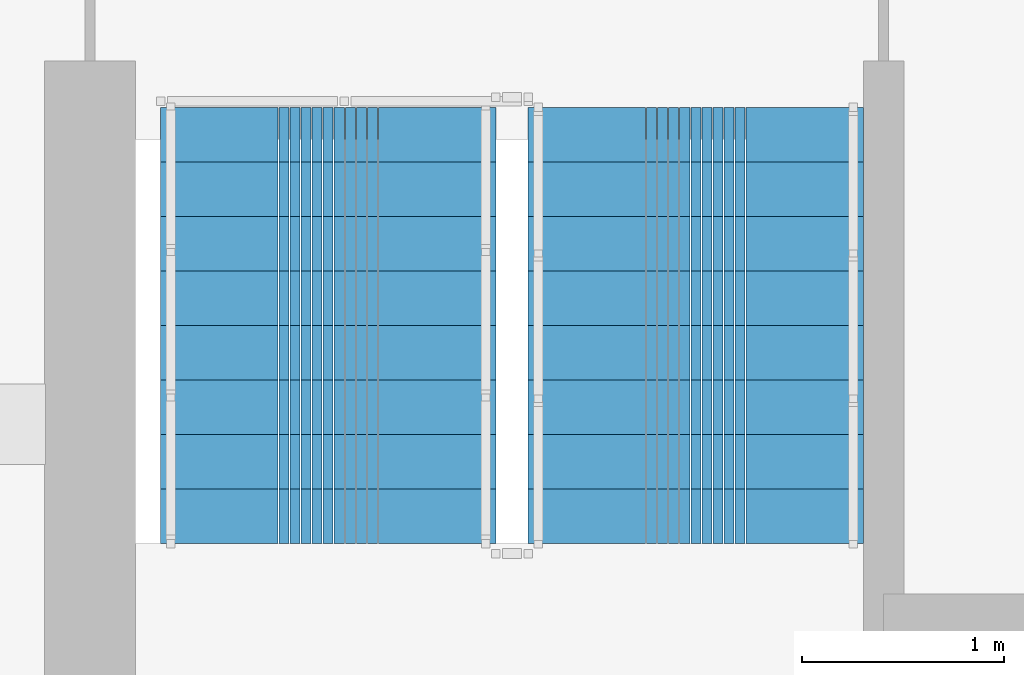
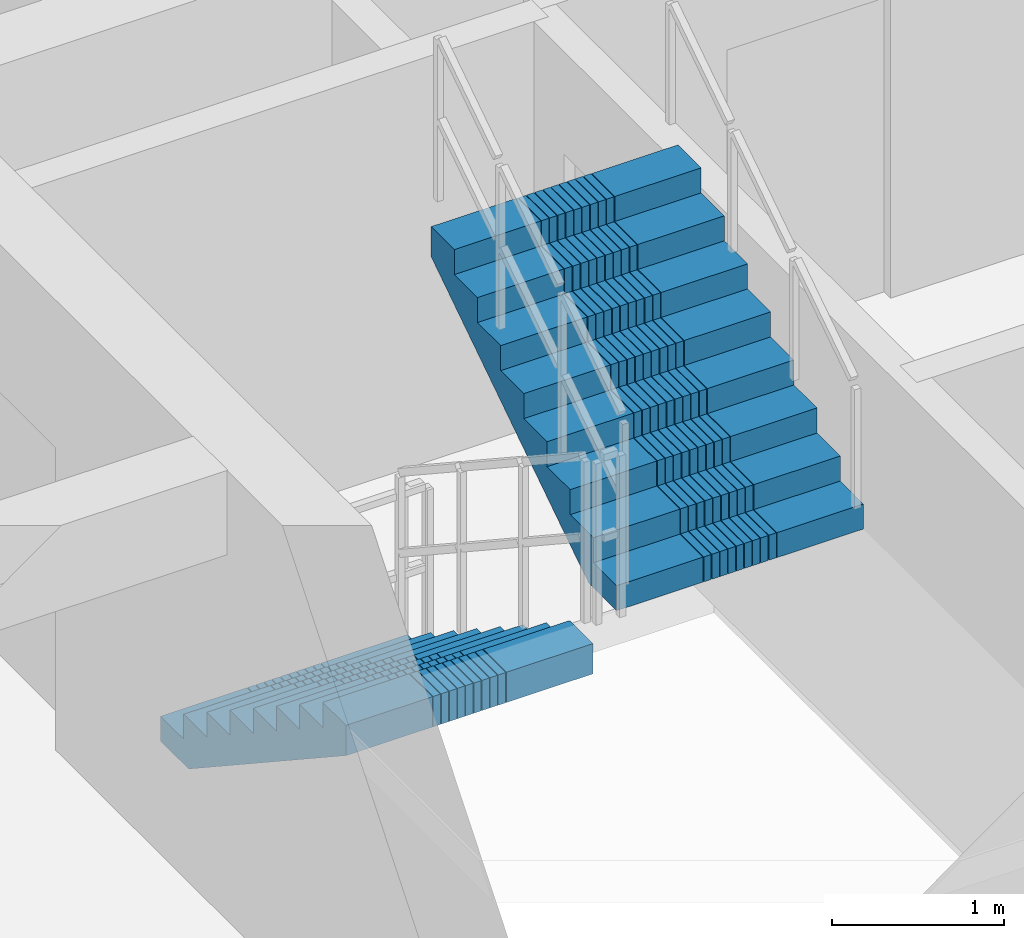
# One storey, part 6 of 11: 2 stair flights, 1 element without a shape of its own.
"""IFC4 building model written with IfcOpenShell, lengths in metres."""

from ifc_helpers import new_model, si_unit, direction, frame, origin, place, context, subcontext, project, spatial, polyline, outline, extrude, material, type_object, element, aggregate, save


model = new_model("IFC4")

# Units and contexts
model_context = context("Model", 3, precision=1e-05, world=origin(), true_north=direction((0.0, 1.0)))
body_context = subcontext(model_context, "Body", "Model", "MODEL_VIEW")
ifc_project = project(units=[si_unit("LENGTHUNIT", "METRE"), si_unit("AREAUNIT", "SQUARE_METRE"), si_unit("VOLUMEUNIT", "CUBIC_METRE"), si_unit("PLANEANGLEUNIT", "RADIAN"), si_unit("MASSUNIT", "GRAM", prefix="KILO")], contexts=[model_context])

# Site, building, storey
site_placement = place(None, origin())
site = spatial("IfcSite", under=ifc_project, at=site_placement, CompositionType="ELEMENT")
building_placement = place(site_placement, origin())
building = spatial("IfcBuilding", under=site, at=building_placement, Name="Saelheon Loggia Tower", CompositionType="ELEMENT")
storey_placement = place(building_placement, frame((0.0, 0.0, 249.0)))
storey = spatial("IfcBuildingStorey", under=building, at=storey_placement, Name="L77", CompositionType="ELEMENT", Elevation=249.0)

# Stair, stair flights
ifc_material = material(Name="Concrete C40/50", Category="concrete")
stair_type = type_object("IfcStairType", Name="Stair_Plant_Crown", PredefinedType="HALF_TURN_STAIR", material=ifc_material)
stair_placement = place(storey_placement, origin())
stair = element("IfcStair", 1, at=stair_placement, inside=storey, type_object=stair_type, Name="L77 Crown Plant Stair ST5", PredefinedType="HALF_TURN_STAIR")
stair_flight_type = type_object("IfcStairFlightType", Name="StairFlight_Crown_1520", PredefinedType="STRAIGHT", material=ifc_material)
stair_flight_1_placement = place(storey_placement, frame((32.679931640625, 23.570068359375, 0.0), z_axis=(0.0, 0.0, 1.0), x_axis=(0.0, -1.0, 0.0)))
stair_flight_1 = element("IfcStairFlight", 2, at=stair_flight_1_placement, type_object=stair_flight_type, Name="ST5 flight 1", NumberOfRisers=9, NumberOfTreads=8, PredefinedType="STRAIGHT", RiserHeight=0.177777778, TreadLength=0.27, context=body_context, shape_type="SweptSolid", body=[
    extrude(outline(polyline([(0.0, 0.0), (0.0, 0.177734375), (0.27001953125, 0.177734375), (0.27001953125, 0.35546875), (0.5400390625, 0.35546875), (0.5400390625, 0.533447265625), (0.81005859375, 0.533447265625), (0.81005859375, 0.711181640625), (1.080078125, 0.711181640625), (1.080078125, 0.888916015625), (1.35009765625, 0.888916015625), (1.35009765625, 1.066650390625), (1.6201171875, 1.066650390625), (1.6201171875, 1.244384765625), (1.889892578125, 1.244384765625), (1.889892578125, 1.422119140625), (2.159912109375, 1.422119140625), (2.159912109375, 1.60009765625), (2.159912109375, 1.206787109375), (0.3271484375, 0.0), (0.0, 0.0)])), frame((0.0, -0.2490234375, 0.0), z_axis=(0.0, -1.0, 0.0), x_axis=(1.0, 0.0, 0.0)), (0.0, 0.0, 1.0), 0.5810546875),
    extrude(outline(polyline([(0.0, 0.0), (0.0, 0.177734375), (0.27001953125, 0.177734375), (0.27001953125, 0.35546875), (0.5400390625, 0.35546875), (0.5400390625, 0.533447265625), (0.81005859375, 0.533447265625), (0.81005859375, 0.711181640625), (1.080078125, 0.711181640625), (1.080078125, 0.888916015625), (1.35009765625, 0.888916015625), (1.35009765625, 1.066650390625), (1.6201171875, 1.066650390625), (1.6201171875, 1.244384765625), (1.889892578125, 1.244384765625), (1.889892578125, 1.422119140625), (2.159912109375, 1.422119140625), (2.159912109375, 1.60009765625), (2.159912109375, 1.206787109375), (0.3271484375, 0.0), (0.0, 0.0)])), frame((0.0, -0.194091796875, 0.0), z_axis=(0.0, -1.0, 0.0), x_axis=(1.0, 0.0, 0.0)), (0.0, 0.0, 1.0), 0.0498046875),
    extrude(outline(polyline([(0.0, 0.0), (0.0, 0.177734375), (0.27001953125, 0.177734375), (0.27001953125, 0.35546875), (0.5400390625, 0.35546875), (0.5400390625, 0.533447265625), (0.81005859375, 0.533447265625), (0.81005859375, 0.711181640625), (1.080078125, 0.711181640625), (1.080078125, 0.888916015625), (1.35009765625, 0.888916015625), (1.35009765625, 1.066650390625), (1.6201171875, 1.066650390625), (1.6201171875, 1.244384765625), (1.889892578125, 1.244384765625), (1.889892578125, 1.422119140625), (2.159912109375, 1.422119140625), (2.159912109375, 1.60009765625), (2.159912109375, 1.206787109375), (0.3271484375, 0.0), (0.0, 0.0)])), frame((0.0, -0.139404296875, 0.0), z_axis=(0.0, -1.0, 0.0), x_axis=(1.0, 0.0, 0.0)), (0.0, 0.0, 1.0), 0.0498046875),
    extrude(outline(polyline([(0.0, 0.0), (0.0, 0.177734375), (0.27001953125, 0.177734375), (0.27001953125, 0.35546875), (0.5400390625, 0.35546875), (0.5400390625, 0.533447265625), (0.81005859375, 0.533447265625), (0.81005859375, 0.711181640625), (1.080078125, 0.711181640625), (1.080078125, 0.888916015625), (1.35009765625, 0.888916015625), (1.35009765625, 1.066650390625), (1.6201171875, 1.066650390625), (1.6201171875, 1.244384765625), (1.889892578125, 1.244384765625), (1.889892578125, 1.422119140625), (2.159912109375, 1.422119140625), (2.159912109375, 1.60009765625), (2.159912109375, 1.206787109375), (0.3271484375, 0.0), (0.0, 0.0)])), frame((0.0, -0.084716796875, 0.0), z_axis=(0.0, -1.0, 0.0), x_axis=(1.0, 0.0, 0.0)), (0.0, 0.0, 1.0), 0.0498046875),
    extrude(outline(polyline([(0.0, 0.0), (0.0, 0.177734375), (0.27001953125, 0.177734375), (0.27001953125, 0.35546875), (0.5400390625, 0.35546875), (0.5400390625, 0.533447265625), (0.81005859375, 0.533447265625), (0.81005859375, 0.711181640625), (1.080078125, 0.711181640625), (1.080078125, 0.888916015625), (1.35009765625, 0.888916015625), (1.35009765625, 1.066650390625), (1.6201171875, 1.066650390625), (1.6201171875, 1.244384765625), (1.889892578125, 1.244384765625), (1.889892578125, 1.422119140625), (2.159912109375, 1.422119140625), (2.159912109375, 1.60009765625), (2.159912109375, 1.206787109375), (0.3271484375, 0.0), (0.0, 0.0)])), frame((0.0, -0.02978515625, 0.0), z_axis=(0.0, -1.0, 0.0), x_axis=(1.0, 0.0, 0.0)), (0.0, 0.0, 1.0), 0.0498046875),
    extrude(outline(polyline([(0.0, 0.0), (0.0, 0.177734375), (0.27001953125, 0.177734375), (0.27001953125, 0.35546875), (0.5400390625, 0.35546875), (0.5400390625, 0.533447265625), (0.81005859375, 0.533447265625), (0.81005859375, 0.711181640625), (1.080078125, 0.711181640625), (1.080078125, 0.888916015625), (1.35009765625, 0.888916015625), (1.35009765625, 1.066650390625), (1.6201171875, 1.066650390625), (1.6201171875, 1.244384765625), (1.889892578125, 1.244384765625), (1.889892578125, 1.422119140625), (2.159912109375, 1.422119140625), (2.159912109375, 1.60009765625), (2.159912109375, 1.206787109375), (0.3271484375, 0.0), (0.0, 0.0)])), frame((0.0, 0.02490234375, 0.0), z_axis=(0.0, -1.0, 0.0), x_axis=(1.0, 0.0, 0.0)), (0.0, 0.0, 1.0), 0.0498046875),
    extrude(outline(polyline([(0.0, 0.0), (0.0, 0.177734375), (0.27001953125, 0.177734375), (0.27001953125, 0.35546875), (0.5400390625, 0.35546875), (0.5400390625, 0.533447265625), (0.81005859375, 0.533447265625), (0.81005859375, 0.711181640625), (1.080078125, 0.711181640625), (1.080078125, 0.888916015625), (1.35009765625, 0.888916015625), (1.35009765625, 1.066650390625), (1.6201171875, 1.066650390625), (1.6201171875, 1.244384765625), (1.889892578125, 1.244384765625), (1.889892578125, 1.422119140625), (2.159912109375, 1.422119140625), (2.159912109375, 1.60009765625), (2.159912109375, 1.206787109375), (0.3271484375, 0.0), (0.0, 0.0)])), frame((0.0, 0.07958984375, 0.0), z_axis=(0.0, -1.0, 0.0), x_axis=(1.0, 0.0, 0.0)), (0.0, 0.0, 1.0), 0.0498046875),
    extrude(outline(polyline([(0.0, 0.0), (0.0, 0.177734375), (0.27001953125, 0.177734375), (0.27001953125, 0.35546875), (0.5400390625, 0.35546875), (0.5400390625, 0.533447265625), (0.81005859375, 0.533447265625), (0.81005859375, 0.711181640625), (1.080078125, 0.711181640625), (1.080078125, 0.888916015625), (1.35009765625, 0.888916015625), (1.35009765625, 1.066650390625), (1.6201171875, 1.066650390625), (1.6201171875, 1.244384765625), (1.889892578125, 1.244384765625), (1.889892578125, 1.422119140625), (2.159912109375, 1.422119140625), (2.159912109375, 1.60009765625), (2.159912109375, 1.206787109375), (0.3271484375, 0.0), (0.0, 0.0)])), frame((0.0, 0.134521484375, 0.0), z_axis=(0.0, -1.0, 0.0), x_axis=(1.0, 0.0, 0.0)), (0.0, 0.0, 1.0), 0.0498046875),
    extrude(outline(polyline([(0.0, 0.0), (0.0, 0.177734375), (0.27001953125, 0.177734375), (0.27001953125, 0.35546875), (0.5400390625, 0.35546875), (0.5400390625, 0.533447265625), (0.81005859375, 0.533447265625), (0.81005859375, 0.711181640625), (1.080078125, 0.711181640625), (1.080078125, 0.888916015625), (1.35009765625, 0.888916015625), (1.35009765625, 1.066650390625), (1.6201171875, 1.066650390625), (1.6201171875, 1.244384765625), (1.889892578125, 1.244384765625), (1.889892578125, 1.422119140625), (2.159912109375, 1.422119140625), (2.159912109375, 1.60009765625), (2.159912109375, 1.206787109375), (0.3271484375, 0.0), (0.0, 0.0)])), frame((0.0, 0.189208984375, 0.0), z_axis=(0.0, -1.0, 0.0), x_axis=(1.0, 0.0, 0.0)), (0.0, 0.0, 1.0), 0.0498046875),
    extrude(outline(polyline([(0.0, 0.0), (0.0, 0.177734375), (0.27001953125, 0.177734375), (0.27001953125, 0.35546875), (0.5400390625, 0.35546875), (0.5400390625, 0.533447265625), (0.81005859375, 0.533447265625), (0.81005859375, 0.711181640625), (1.080078125, 0.711181640625), (1.080078125, 0.888916015625), (1.35009765625, 0.888916015625), (1.35009765625, 1.066650390625), (1.6201171875, 1.066650390625), (1.6201171875, 1.244384765625), (1.889892578125, 1.244384765625), (1.889892578125, 1.422119140625), (2.159912109375, 1.422119140625), (2.159912109375, 1.60009765625), (2.159912109375, 1.206787109375), (0.3271484375, 0.0), (0.0, 0.0)])), frame((0.0, 0.243896484375, 0.0), z_axis=(0.0, -1.0, 0.0), x_axis=(1.0, 0.0, 0.0)), (0.0, 0.0, 1.0), 0.0498046875),
    extrude(outline(polyline([(0.0, 0.0), (0.0, 0.177734375), (0.27001953125, 0.177734375), (0.27001953125, 0.35546875), (0.5400390625, 0.35546875), (0.5400390625, 0.533447265625), (0.81005859375, 0.533447265625), (0.81005859375, 0.711181640625), (1.080078125, 0.711181640625), (1.080078125, 0.888916015625), (1.35009765625, 0.888916015625), (1.35009765625, 1.066650390625), (1.6201171875, 1.066650390625), (1.6201171875, 1.244384765625), (1.889892578125, 1.244384765625), (1.889892578125, 1.422119140625), (2.159912109375, 1.422119140625), (2.159912109375, 1.60009765625), (2.159912109375, 1.206787109375), (0.3271484375, 0.0), (0.0, 0.0)])), frame((0.0, 0.830078125, 0.0), z_axis=(0.0, -1.0, 0.0), x_axis=(1.0, 0.0, 0.0)), (0.0, 0.0, 1.0), 0.5810546875),
])
stair_flight_2_placement = place(storey_placement, frame((34.5, 21.409912109375, 1.60009765625), z_axis=(0.0, 0.0, 1.0), x_axis=(0.0, 1.0, 0.0)))
stair_flight_2 = element("IfcStairFlight", 3, at=stair_flight_2_placement, type_object=stair_flight_type, Name="ST5 flight 2", NumberOfRisers=9, NumberOfTreads=8, PredefinedType="STRAIGHT", RiserHeight=0.177777778, TreadLength=0.27, context=body_context, shape_type="SweptSolid", body=[
    extrude(outline(polyline([(0.0, 0.0), (0.0, 0.177734375), (0.27001953125, 0.177734375), (0.27001953125, 0.35546875), (0.5400390625, 0.35546875), (0.5400390625, 0.533447265625), (0.81005859375, 0.533447265625), (0.81005859375, 0.711181640625), (1.080078125, 0.711181640625), (1.080078125, 0.888916015625), (1.35009765625, 0.888916015625), (1.35009765625, 1.066650390625), (1.6201171875, 1.066650390625), (1.6201171875, 1.244384765625), (1.889892578125, 1.244384765625), (1.889892578125, 1.422119140625), (2.159912109375, 1.422119140625), (2.159912109375, 1.60009765625), (2.159912109375, 1.206787109375), (0.3271484375, 0.0), (0.0, 0.0)])), frame((0.0, -0.2490234375, 0.0), z_axis=(0.0, -1.0, 0.0), x_axis=(1.0, 0.0, 0.0)), (0.0, 0.0, 1.0), 0.5810546875),
    extrude(outline(polyline([(0.0, 0.0), (0.0, 0.177734375), (0.27001953125, 0.177734375), (0.27001953125, 0.35546875), (0.5400390625, 0.35546875), (0.5400390625, 0.533447265625), (0.81005859375, 0.533447265625), (0.81005859375, 0.711181640625), (1.080078125, 0.711181640625), (1.080078125, 0.888916015625), (1.35009765625, 0.888916015625), (1.35009765625, 1.066650390625), (1.6201171875, 1.066650390625), (1.6201171875, 1.244384765625), (1.889892578125, 1.244384765625), (1.889892578125, 1.422119140625), (2.159912109375, 1.422119140625), (2.159912109375, 1.60009765625), (2.159912109375, 1.206787109375), (0.3271484375, 0.0), (0.0, 0.0)])), frame((0.0, -0.194091796875, 0.0), z_axis=(0.0, -1.0, 0.0), x_axis=(1.0, 0.0, 0.0)), (0.0, 0.0, 1.0), 0.0498046875),
    extrude(outline(polyline([(0.0, 0.0), (0.0, 0.177734375), (0.27001953125, 0.177734375), (0.27001953125, 0.35546875), (0.5400390625, 0.35546875), (0.5400390625, 0.533447265625), (0.81005859375, 0.533447265625), (0.81005859375, 0.711181640625), (1.080078125, 0.711181640625), (1.080078125, 0.888916015625), (1.35009765625, 0.888916015625), (1.35009765625, 1.066650390625), (1.6201171875, 1.066650390625), (1.6201171875, 1.244384765625), (1.889892578125, 1.244384765625), (1.889892578125, 1.422119140625), (2.159912109375, 1.422119140625), (2.159912109375, 1.60009765625), (2.159912109375, 1.206787109375), (0.3271484375, 0.0), (0.0, 0.0)])), frame((0.0, -0.139404296875, 0.0), z_axis=(0.0, -1.0, 0.0), x_axis=(1.0, 0.0, 0.0)), (0.0, 0.0, 1.0), 0.0498046875),
    extrude(outline(polyline([(0.0, 0.0), (0.0, 0.177734375), (0.27001953125, 0.177734375), (0.27001953125, 0.35546875), (0.5400390625, 0.35546875), (0.5400390625, 0.533447265625), (0.81005859375, 0.533447265625), (0.81005859375, 0.711181640625), (1.080078125, 0.711181640625), (1.080078125, 0.888916015625), (1.35009765625, 0.888916015625), (1.35009765625, 1.066650390625), (1.6201171875, 1.066650390625), (1.6201171875, 1.244384765625), (1.889892578125, 1.244384765625), (1.889892578125, 1.422119140625), (2.159912109375, 1.422119140625), (2.159912109375, 1.60009765625), (2.159912109375, 1.206787109375), (0.3271484375, 0.0), (0.0, 0.0)])), frame((0.0, -0.084716796875, 0.0), z_axis=(0.0, -1.0, 0.0), x_axis=(1.0, 0.0, 0.0)), (0.0, 0.0, 1.0), 0.0498046875),
    extrude(outline(polyline([(0.0, 0.0), (0.0, 0.177734375), (0.27001953125, 0.177734375), (0.27001953125, 0.35546875), (0.5400390625, 0.35546875), (0.5400390625, 0.533447265625), (0.81005859375, 0.533447265625), (0.81005859375, 0.711181640625), (1.080078125, 0.711181640625), (1.080078125, 0.888916015625), (1.35009765625, 0.888916015625), (1.35009765625, 1.066650390625), (1.6201171875, 1.066650390625), (1.6201171875, 1.244384765625), (1.889892578125, 1.244384765625), (1.889892578125, 1.422119140625), (2.159912109375, 1.422119140625), (2.159912109375, 1.60009765625), (2.159912109375, 1.206787109375), (0.3271484375, 0.0), (0.0, 0.0)])), frame((0.0, -0.02978515625, 0.0), z_axis=(0.0, -1.0, 0.0), x_axis=(1.0, 0.0, 0.0)), (0.0, 0.0, 1.0), 0.0498046875),
    extrude(outline(polyline([(0.0, 0.0), (0.0, 0.177734375), (0.27001953125, 0.177734375), (0.27001953125, 0.35546875), (0.5400390625, 0.35546875), (0.5400390625, 0.533447265625), (0.81005859375, 0.533447265625), (0.81005859375, 0.711181640625), (1.080078125, 0.711181640625), (1.080078125, 0.888916015625), (1.35009765625, 0.888916015625), (1.35009765625, 1.066650390625), (1.6201171875, 1.066650390625), (1.6201171875, 1.244384765625), (1.889892578125, 1.244384765625), (1.889892578125, 1.422119140625), (2.159912109375, 1.422119140625), (2.159912109375, 1.60009765625), (2.159912109375, 1.206787109375), (0.3271484375, 0.0), (0.0, 0.0)])), frame((0.0, 0.02490234375, 0.0), z_axis=(0.0, -1.0, 0.0), x_axis=(1.0, 0.0, 0.0)), (0.0, 0.0, 1.0), 0.0498046875),
    extrude(outline(polyline([(0.0, 0.0), (0.0, 0.177734375), (0.27001953125, 0.177734375), (0.27001953125, 0.35546875), (0.5400390625, 0.35546875), (0.5400390625, 0.533447265625), (0.81005859375, 0.533447265625), (0.81005859375, 0.711181640625), (1.080078125, 0.711181640625), (1.080078125, 0.888916015625), (1.35009765625, 0.888916015625), (1.35009765625, 1.066650390625), (1.6201171875, 1.066650390625), (1.6201171875, 1.244384765625), (1.889892578125, 1.244384765625), (1.889892578125, 1.422119140625), (2.159912109375, 1.422119140625), (2.159912109375, 1.60009765625), (2.159912109375, 1.206787109375), (0.3271484375, 0.0), (0.0, 0.0)])), frame((0.0, 0.07958984375, 0.0), z_axis=(0.0, -1.0, 0.0), x_axis=(1.0, 0.0, 0.0)), (0.0, 0.0, 1.0), 0.0498046875),
    extrude(outline(polyline([(0.0, 0.0), (0.0, 0.177734375), (0.27001953125, 0.177734375), (0.27001953125, 0.35546875), (0.5400390625, 0.35546875), (0.5400390625, 0.533447265625), (0.81005859375, 0.533447265625), (0.81005859375, 0.711181640625), (1.080078125, 0.711181640625), (1.080078125, 0.888916015625), (1.35009765625, 0.888916015625), (1.35009765625, 1.066650390625), (1.6201171875, 1.066650390625), (1.6201171875, 1.244384765625), (1.889892578125, 1.244384765625), (1.889892578125, 1.422119140625), (2.159912109375, 1.422119140625), (2.159912109375, 1.60009765625), (2.159912109375, 1.206787109375), (0.3271484375, 0.0), (0.0, 0.0)])), frame((0.0, 0.134521484375, 0.0), z_axis=(0.0, -1.0, 0.0), x_axis=(1.0, 0.0, 0.0)), (0.0, 0.0, 1.0), 0.0498046875),
    extrude(outline(polyline([(0.0, 0.0), (0.0, 0.177734375), (0.27001953125, 0.177734375), (0.27001953125, 0.35546875), (0.5400390625, 0.35546875), (0.5400390625, 0.533447265625), (0.81005859375, 0.533447265625), (0.81005859375, 0.711181640625), (1.080078125, 0.711181640625), (1.080078125, 0.888916015625), (1.35009765625, 0.888916015625), (1.35009765625, 1.066650390625), (1.6201171875, 1.066650390625), (1.6201171875, 1.244384765625), (1.889892578125, 1.244384765625), (1.889892578125, 1.422119140625), (2.159912109375, 1.422119140625), (2.159912109375, 1.60009765625), (2.159912109375, 1.206787109375), (0.3271484375, 0.0), (0.0, 0.0)])), frame((0.0, 0.189208984375, 0.0), z_axis=(0.0, -1.0, 0.0), x_axis=(1.0, 0.0, 0.0)), (0.0, 0.0, 1.0), 0.0498046875),
    extrude(outline(polyline([(0.0, 0.0), (0.0, 0.177734375), (0.27001953125, 0.177734375), (0.27001953125, 0.35546875), (0.5400390625, 0.35546875), (0.5400390625, 0.533447265625), (0.81005859375, 0.533447265625), (0.81005859375, 0.711181640625), (1.080078125, 0.711181640625), (1.080078125, 0.888916015625), (1.35009765625, 0.888916015625), (1.35009765625, 1.066650390625), (1.6201171875, 1.066650390625), (1.6201171875, 1.244384765625), (1.889892578125, 1.244384765625), (1.889892578125, 1.422119140625), (2.159912109375, 1.422119140625), (2.159912109375, 1.60009765625), (2.159912109375, 1.206787109375), (0.3271484375, 0.0), (0.0, 0.0)])), frame((0.0, 0.243896484375, 0.0), z_axis=(0.0, -1.0, 0.0), x_axis=(1.0, 0.0, 0.0)), (0.0, 0.0, 1.0), 0.0498046875),
    extrude(outline(polyline([(0.0, 0.0), (0.0, 0.177734375), (0.27001953125, 0.177734375), (0.27001953125, 0.35546875), (0.5400390625, 0.35546875), (0.5400390625, 0.533447265625), (0.81005859375, 0.533447265625), (0.81005859375, 0.711181640625), (1.080078125, 0.711181640625), (1.080078125, 0.888916015625), (1.35009765625, 0.888916015625), (1.35009765625, 1.066650390625), (1.6201171875, 1.066650390625), (1.6201171875, 1.244384765625), (1.889892578125, 1.244384765625), (1.889892578125, 1.422119140625), (2.159912109375, 1.422119140625), (2.159912109375, 1.60009765625), (2.159912109375, 1.206787109375), (0.3271484375, 0.0), (0.0, 0.0)])), frame((0.0, 0.830078125, 0.0), z_axis=(0.0, -1.0, 0.0), x_axis=(1.0, 0.0, 0.0)), (0.0, 0.0, 1.0), 0.5810546875),
])
aggregate(stair, [stair_flight_1, stair_flight_2])

save(model, "model.ifc")
